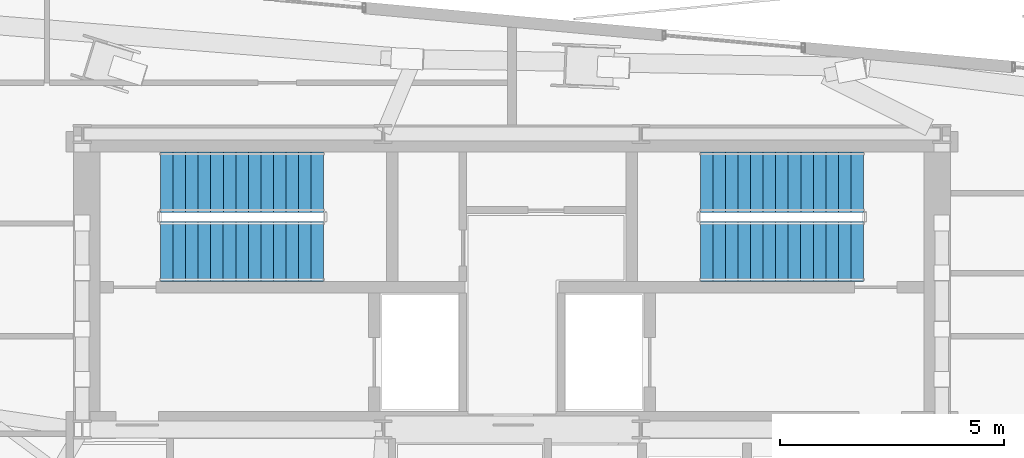
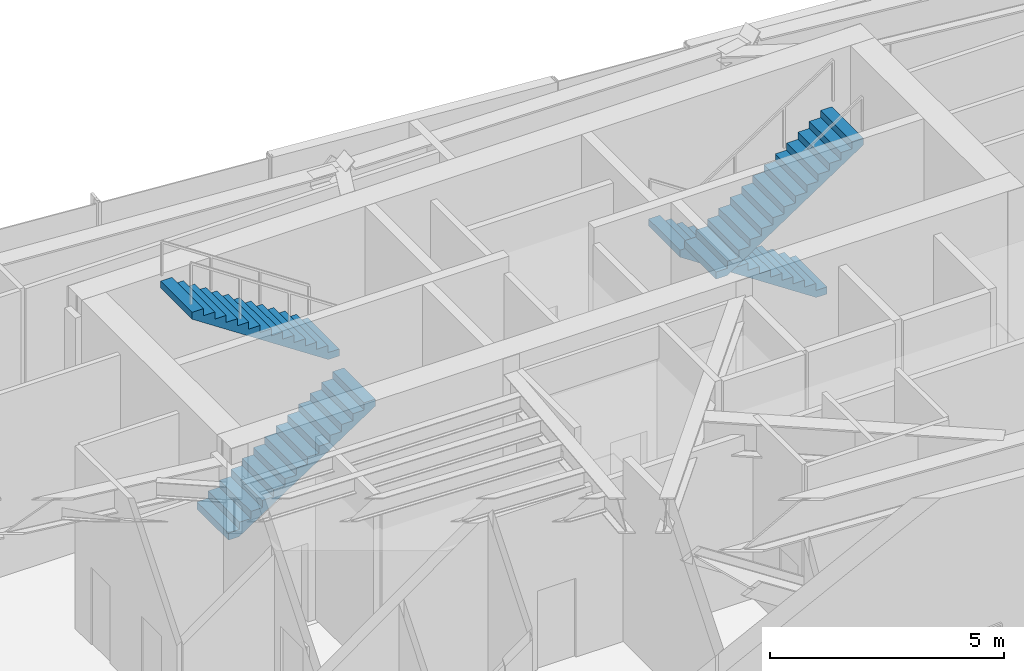
# One storey, part 16 of 20: 4 stair flights, 2 elements without a shape of their own.
"""IFC4 building model written with IfcOpenShell, lengths in metres."""

from ifc_helpers import new_model, si_unit, direction, frame, origin, place, context, subcontext, project, spatial, polyline, outline, extrude, source, transform, mapped, material, type_object, type_shapes, element, aggregate, save


model = new_model("IFC4")

# Units and contexts
model_context = context("Model", 3, precision=1e-05, world=origin(), true_north=direction((0.0, 1.0)))
body_context = subcontext(model_context, "Body", "Model", "MODEL_VIEW")
ifc_project = project(units=[si_unit("LENGTHUNIT", "METRE"), si_unit("AREAUNIT", "SQUARE_METRE"), si_unit("VOLUMEUNIT", "CUBIC_METRE"), si_unit("PLANEANGLEUNIT", "RADIAN"), si_unit("MASSUNIT", "GRAM", prefix="KILO")], contexts=[model_context])

# Site, building, storey
site_placement = place(None, origin())
site = spatial("IfcSite", under=ifc_project, at=site_placement, CompositionType="ELEMENT")
building_placement = place(site_placement, origin())
building = spatial("IfcBuilding", under=site, at=building_placement, Name="Astriad Promenade Condominiums", CompositionType="ELEMENT")
storey_placement = place(building_placement, frame((0.0, 0.0, 211.39990234375)))
storey = spatial("IfcBuildingStorey", under=building, at=storey_placement, Name="L61", CompositionType="ELEMENT", Elevation=211.39990234375)

# Stair, stair flights
ifc_material = material(Name="Concrete C50/60", Category="concrete")
stair_type = type_object("IfcStairType", Name="STR-CORE-1350", PredefinedType="HALF_TURN_STAIR", material=ifc_material)
stair_1_placement = place(storey_placement, origin())
stair_1 = element("IfcStair", 1, at=stair_1_placement, inside=storey, type_object=stair_type, Name="L61 Enclosed Core Exit Stair ST-1", PredefinedType="HALF_TURN_STAIR")
stair_flight_type = type_object("IfcStairFlightType", Name="SFL-CORE-1350", PredefinedType="STRAIGHT", material=ifc_material)
shared_shape = source(origin(), body_context, "Body", "SweptSolid", [
    extrude(outline(polyline([(0.0, 0.0), (0.0, 0.185791015625), (0.280029296875, 0.185791015625), (0.280029296875, 0.371337890625), (0.56005859375, 0.371337890625), (0.56005859375, 0.55712890625), (0.840087890625, 0.55712890625), (0.840087890625, 0.742919921875), (1.1201171875, 0.742919921875), (1.1201171875, 0.928466796875), (1.39990234375, 0.928466796875), (1.39990234375, 1.1142578125), (1.679931640625, 1.1142578125), (1.679931640625, 1.300048828125), (1.9599609375, 1.300048828125), (1.9599609375, 1.485595703125), (2.239990234375, 1.485595703125), (2.239990234375, 1.67138671875), (2.52001953125, 1.67138671875), (2.52001953125, 1.857177734375), (2.800048828125, 1.857177734375), (2.800048828125, 2.04296875), (3.080078125, 2.04296875), (3.080078125, 2.228515625), (3.360107421875, 2.228515625), (3.360107421875, 2.414306640625), (3.639892578125, 2.414306640625), (3.639892578125, 2.60009765625), (3.639892578125, 2.234375), (0.271240234375, 0.0), (0.0, 0.0)])), frame((0.0, 0.675048828125, 0.0), z_axis=(0.0, -1.0, 0.0), x_axis=(1.0, 0.0, 0.0)), (0.0, 0.0, 1.0), 1.35009765625),
])
type_shapes(stair_flight_type, [shared_shape])
stair_flight_1_placement = place(storey_placement, frame((28.14990234375, 21.375, 0.0), z_axis=(0.0, 0.0, 1.0), x_axis=(1.0, 0.0, 0.0)))
stair_flight_1 = element("IfcStairFlight", 2, at=stair_flight_1_placement, type_object=stair_flight_type, Name="ST-1 flight 1", NumberOfRisers=14, NumberOfTreads=13, PredefinedType="STRAIGHT", RiserHeight=0.185714286, TreadLength=0.28, context=body_context, shape_type="MappedRepresentation", body=[
    mapped(shared_shape, transform((0.0, 0.0, 0.0), scale=1.0)),
])
stair_flight_2_placement = place(storey_placement, frame((31.7900390625, 22.925048828125, 2.60009765625), z_axis=(0.0, 0.0, 1.0), x_axis=(-1.0, 0.0, 0.0)))
stair_flight_2 = element("IfcStairFlight", 3, at=stair_flight_2_placement, type_object=stair_flight_type, Name="ST-1 flight 2", NumberOfRisers=14, NumberOfTreads=13, PredefinedType="STRAIGHT", RiserHeight=0.185714286, TreadLength=0.28, context=body_context, shape_type="MappedRepresentation", body=[
    mapped(shared_shape, transform((0.0, 0.0, 0.0), scale=1.0)),
])
aggregate(stair_1, [stair_flight_1, stair_flight_2])

stair_2_placement = place(storey_placement, origin())
stair_2 = element("IfcStair", 4, at=stair_2_placement, inside=storey, type_object=stair_type, Name="L61 Enclosed Core Exit Stair ST-2", PredefinedType="HALF_TURN_STAIR")
stair_flight_3_placement = place(storey_placement, frame((43.85009765625, 22.925048828125, 0.0), z_axis=(0.0, 0.0, 1.0), x_axis=(-1.0, 0.0, 0.0)))
stair_flight_3 = element("IfcStairFlight", 5, at=stair_flight_3_placement, type_object=stair_flight_type, Name="ST-2 flight 1", NumberOfRisers=14, NumberOfTreads=13, PredefinedType="STRAIGHT", RiserHeight=0.185714286, TreadLength=0.28, context=body_context, shape_type="MappedRepresentation", body=[
    mapped(shared_shape, transform((0.0, 0.0, 0.0), scale=1.0)),
])
stair_flight_4_placement = place(storey_placement, frame((40.2099609375, 21.375, 2.60009765625), z_axis=(0.0, 0.0, 1.0), x_axis=(1.0, 0.0, 0.0)))
stair_flight_4 = element("IfcStairFlight", 6, at=stair_flight_4_placement, type_object=stair_flight_type, Name="ST-2 flight 2", NumberOfRisers=14, NumberOfTreads=13, PredefinedType="STRAIGHT", RiserHeight=0.185714286, TreadLength=0.28, context=body_context, shape_type="MappedRepresentation", body=[
    mapped(shared_shape, transform((0.0, 0.0, 0.0), scale=1.0)),
])
aggregate(stair_2, [stair_flight_3, stair_flight_4])

save(model, "model.ifc")
